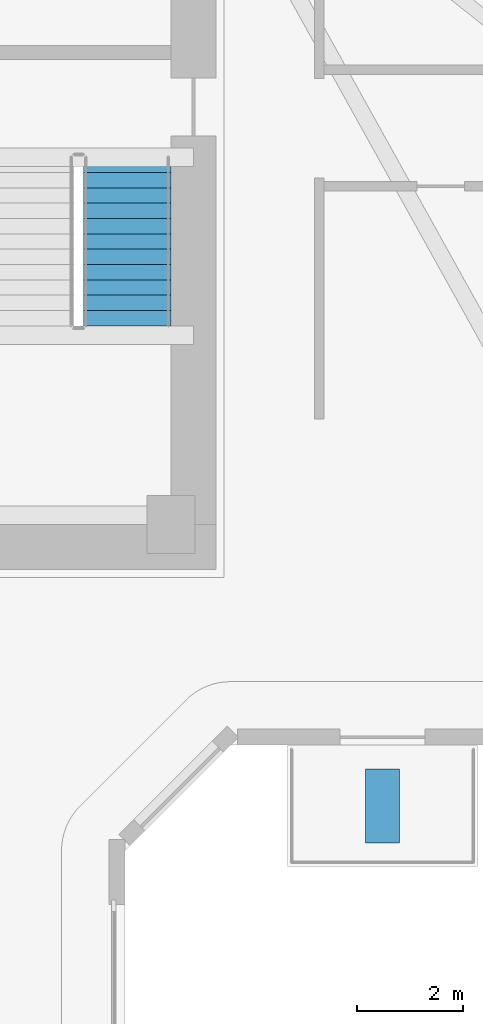
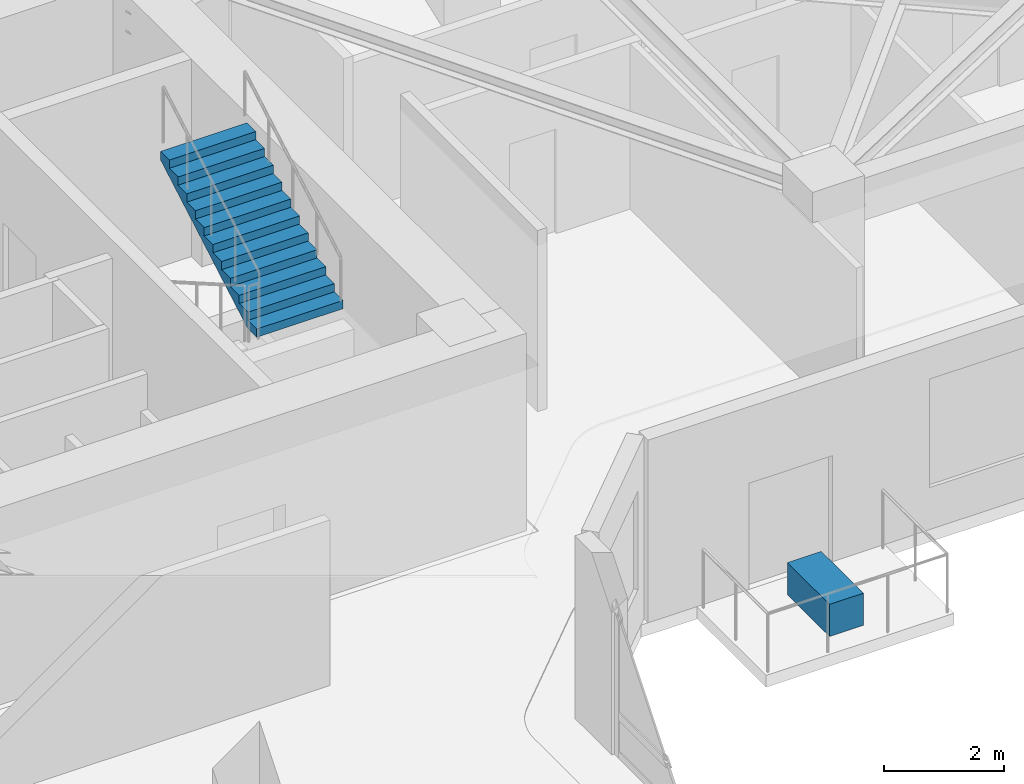
# One storey, part 8 of 10: 1 discrete accessory, 1 stair flight, 1 element without a shape of its own.
"""IFC4 building model written with IfcOpenShell, lengths in metres."""

from ifc_helpers import new_model, si_unit, direction, frame, origin, origin_2d, place, context, subcontext, project, spatial, polyline, rectangle, outline, extrude, source, transform, mapped, material, type_object, element, aggregate, save


model = new_model("IFC4")

# Units and contexts
model_context = context("Model", 3, precision=1e-05, world=origin(), true_north=direction((0.0, 1.0)))
body_context = subcontext(model_context, "Body", "Model", "MODEL_VIEW")
ifc_project = project(units=[si_unit("LENGTHUNIT", "METRE"), si_unit("AREAUNIT", "SQUARE_METRE"), si_unit("VOLUMEUNIT", "CUBIC_METRE"), si_unit("PLANEANGLEUNIT", "RADIAN"), si_unit("MASSUNIT", "GRAM", prefix="KILO")], contexts=[model_context])

# Site, building, storey
site_placement = place(None, origin())
site = spatial("IfcSite", under=ifc_project, at=site_placement, CompositionType="ELEMENT")
building_placement = place(site_placement, origin())
building = spatial("IfcBuilding", under=site, at=building_placement, Name="Calvemar Wedge Station Tower", CompositionType="ELEMENT")
storey_placement = place(building_placement, frame((0.0, 0.0, 95.0)))
storey = spatial("IfcBuildingStorey", under=building, at=storey_placement, Name="L23", CompositionType="ELEMENT", Elevation=95.0)

# Stair, stair flight
ifc_material_1 = material(Name="Concrete C45", Category="concrete")
stair_type = type_object("IfcStairType", Name="ST-TYPE-4000", PredefinedType="HALF_TURN_STAIR", material=ifc_material_1)
stair_placement = place(storey_placement, origin())
stair = element("IfcStair", 1, at=stair_placement, inside=storey, type_object=stair_type, Name="L23 Pressurized Core Exit Stair ST-C2", PredefinedType="HALF_TURN_STAIR")
stair_flight_type = type_object("IfcStairFlightType", Name="STF-TYPE-4000", PredefinedType="STRAIGHT", material=ifc_material_1)
stair_flight_placement = place(storey_placement, frame((30.169921875, 37.9599609375, 2.0), z_axis=(0.0, 0.0, 1.0), x_axis=(0.0, 1.0, 0.0)))
stair_flight = element("IfcStairFlight", 2, at=stair_flight_placement, type_object=stair_flight_type, Name="ST-C2 flight 2", NumberOfRisers=12, NumberOfTreads=11, PredefinedType="STRAIGHT", RiserHeight=0.166666667, TreadLength=0.29, context=body_context, shape_type="SweptSolid", body=[
    extrude(outline(polyline([(0.0, 0.0), (0.0, 0.166748046875), (0.2900390625, 0.166748046875), (0.2900390625, 0.333251953125), (0.580078125, 0.333251953125), (0.580078125, 0.5), (0.8701171875, 0.5), (0.8701171875, 0.666748046875), (1.159912109375, 0.666748046875), (1.159912109375, 0.833251953125), (1.449951171875, 0.833251953125), (1.449951171875, 1.0), (1.739990234375, 1.0), (1.739990234375, 1.166748046875), (2.030029296875, 1.166748046875), (2.030029296875, 1.333251953125), (2.320068359375, 1.333251953125), (2.320068359375, 1.5), (2.610107421875, 1.5), (2.610107421875, 1.666748046875), (2.89990234375, 1.666748046875), (2.89990234375, 1.833251953125), (3.18994140625, 1.833251953125), (3.18994140625, 2.0), (3.18994140625, 1.660400390625), (0.30078125, 0.0), (0.0, 0.0)])), frame((0.0, 0.830078125, 0.0), z_axis=(0.0, -1.0, 0.0), x_axis=(1.0, 0.0, 0.0)), (0.0, 0.0, 1.0), 1.659912109375),
])
aggregate(stair, [stair_flight])

# Discrete accessory
ifc_material_2 = material(Name="Precast concrete C45", Category="concrete")
discrete_accessory_type = type_object("IfcDiscreteAccessoryType", Name="ACC-PLANTER", PredefinedType="USERDEFINED", material=ifc_material_2)
shared_shape = source(origin(), body_context, "Body", "SweptSolid", [
    extrude(rectangle(XDim=0.64990234375, YDim=1.39990234375, at=origin_2d()), origin(), (0.0, 0.0, 1.0), 0.64990234375),
])
discrete_accessory_placement = place(storey_placement, frame((35.0, 28.8779296875, 0.0), z_axis=(0.0, 0.0, 1.0), x_axis=(1.0, 0.0, 0.0)))
element("IfcDiscreteAccessory", 3, at=discrete_accessory_placement, inside=storey, type_object=discrete_accessory_type, Name="Storey L23 Planted Terrace GFRC Planter", ObjectType="PLANTER", PredefinedType="USERDEFINED", context=body_context, shape_type="MappedRepresentation", body=[
    mapped(shared_shape, transform((0.0, 0.0, 0.0), scale=1.0)),
])

save(model, "model.ifc")
